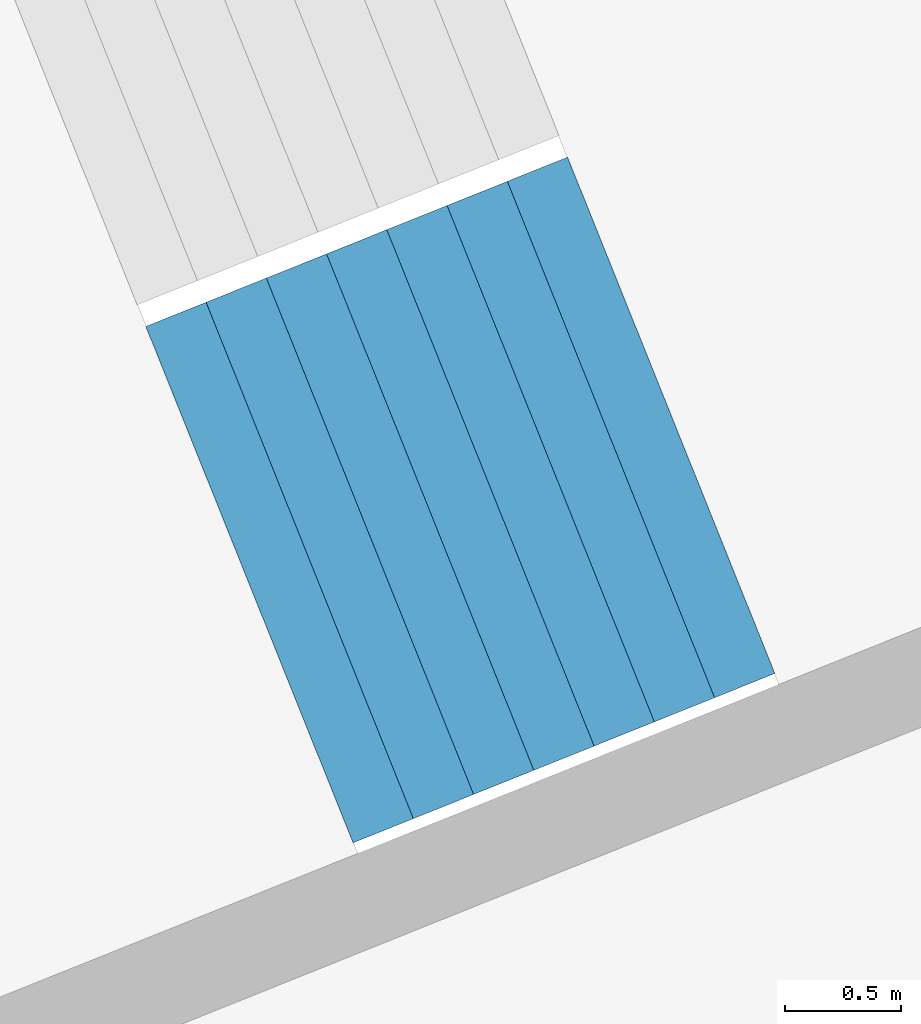
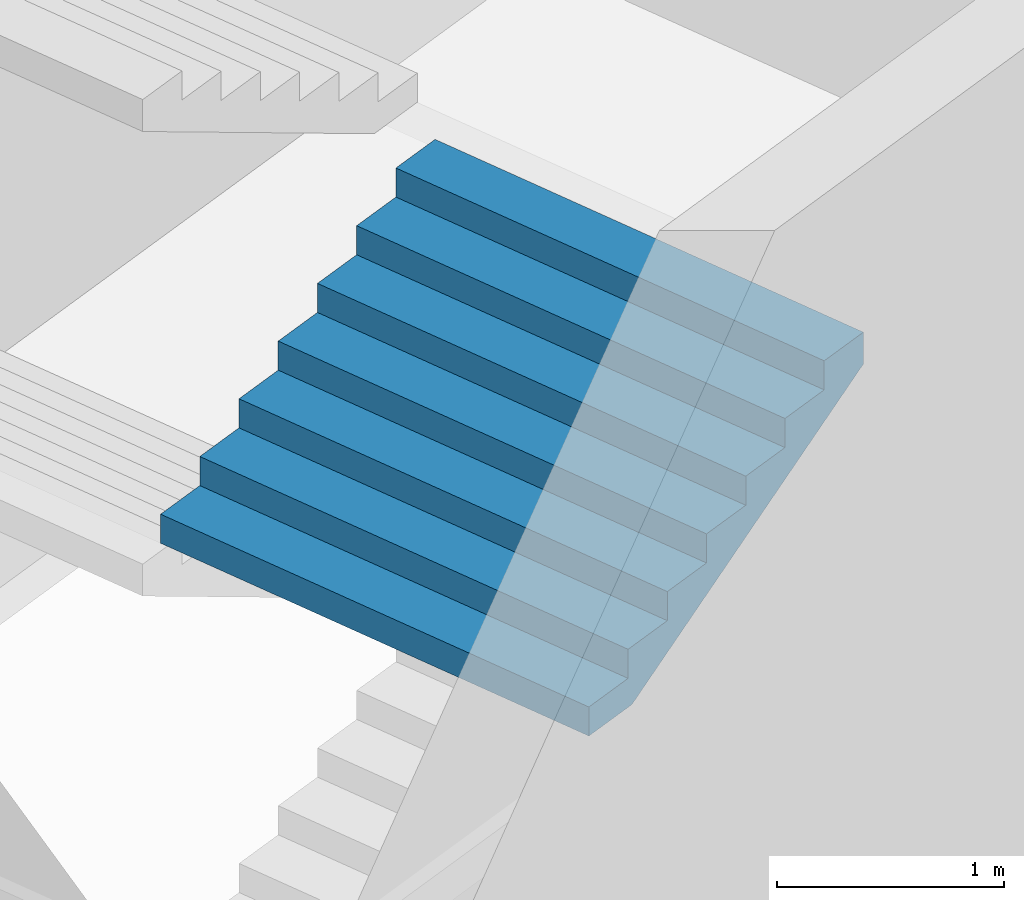
# One storey, part 66 of 73: 1 stair flight, 1 element without a shape of its own.
"""IFC4 building model written with IfcOpenShell, lengths in metres."""

from ifc_helpers import new_model, si_unit, direction, frame, origin, place, context, subcontext, project, spatial, triangles, material, type_object, element, aggregate, save


model = new_model("IFC4")

# Units and contexts
model_context = context("Model", 3, precision=1e-05, world=origin(), true_north=direction((0.0, 1.0)))
body_context = subcontext(model_context, "Body", "Model", "MODEL_VIEW")
ifc_project = project(units=[si_unit("LENGTHUNIT", "METRE"), si_unit("AREAUNIT", "SQUARE_METRE"), si_unit("VOLUMEUNIT", "CUBIC_METRE"), si_unit("PLANEANGLEUNIT", "RADIAN"), si_unit("MASSUNIT", "GRAM", prefix="KILO")], contexts=[model_context])

# Site, building, storey
site_placement = place(None, origin())
site = spatial("IfcSite", under=ifc_project, at=site_placement, CompositionType="ELEMENT")
building_placement = place(site_placement, origin())
building = spatial("IfcBuilding", under=site, at=building_placement, Name="Lantaw Convention Tower", CompositionType="ELEMENT")
storey_placement = place(building_placement, frame((0.0, 0.0, 22.0)))
storey = spatial("IfcBuildingStorey", under=building, at=storey_placement, Name="L03", CompositionType="ELEMENT", Elevation=22.0)

# Stair, stair flight
ifc_material = material(Name="Concrete C35/45", Category="concrete")
stair_type = type_object("IfcStairType", Name="Exit stair 2400 riser 156.25 in 4 flights", PredefinedType="HALF_TURN_STAIR", material=ifc_material)
stair_placement = place(storey_placement, origin())
stair = element("IfcStair", 1, at=stair_placement, inside=storey, type_object=stair_type, Name="Podium exit stair P2 L03", PredefinedType="HALF_TURN_STAIR")
stair_flight_type = type_object("IfcStairFlightType", Name="Stair flight 2400 riser 156.25", PredefinedType="STRAIGHT", material=ifc_material)
stair_flight_placement = place(storey_placement, frame((36.730712890625, 13.398193359375, 2.5), z_axis=(0.0, 0.0, 1.0), x_axis=(0.928015168305, 0.372542410198, 0.0)))
stair_flight = element("IfcStairFlight", 2, at=stair_flight_placement, type_object=stair_flight_type, Name="P2 flight 3", NumberOfRisers=8, NumberOfTreads=7, PredefinedType="STRAIGHT", RiserHeight=0.15625, TreadLength=0.28, context=body_context, shape_type="Tessellation", body=[
    triangles([(0.0, 1.199951171875, 0.0), (0.0, 1.199951171875, 0.15625), (0.28, 1.199951171875, 0.0), (0.28, 1.199951171875, 0.15625), (0.28, 1.199951171875, 0.3125), (0.3076200632058044, 1.199951171875, 0.0), (0.3076200632058044, 1.199951171875, 0.3125), (0.56, 1.199951171875, 0.14083701830033238), (0.56, 1.199951171875, 0.3125), (0.56, 1.199951171875, 0.46875), (0.8400000000000001, 1.199951171875, 0.29708701830033235), (0.8400000000000001, 1.199951171875, 0.46875), (0.8400000000000001, 1.199951171875, 0.625), (1.12, 1.199951171875, 0.45333701830033235), (1.12, 1.199951171875, 0.625), (1.12, 1.199951171875, 0.78125), (1.4000000000000001, 1.199951171875, 0.6095870183003324), (1.4000000000000001, 1.199951171875, 0.78125), (1.4000000000000001, 1.199951171875, 0.9375), (1.6800000000000002, 1.199951171875, 0.7658370183003324), (1.6800000000000002, 1.199951171875, 0.9375), (1.6800000000000002, 1.199951171875, 1.09375), (1.9600000000000002, 1.199951171875, 0.9220870183003324), (1.9600000000000002, 1.199951171875, 1.09375), (0.0, -1.199951171875, 0.0), (0.0, -1.199951171875, 0.15625), (0.28, -1.199951171875, 0.0), (0.28, -1.199951171875, 0.15625), (0.28, -1.199951171875, 0.3125), (0.3076200632058044, -1.199951171875, 0.0), (0.3076200632058044, -1.199951171875, 0.3125), (0.56, -1.199951171875, 0.14083701830033238), (0.56, -1.199951171875, 0.3125), (0.56, -1.199951171875, 0.46875), (0.8400000000000001, -1.199951171875, 0.29708701830033235), (0.8400000000000001, -1.199951171875, 0.46875), (0.8400000000000001, -1.199951171875, 0.625), (1.12, -1.199951171875, 0.45333701830033235), (1.12, -1.199951171875, 0.625), (1.12, -1.199951171875, 0.78125), (1.4000000000000001, -1.199951171875, 0.6095870183003324), (1.4000000000000001, -1.199951171875, 0.78125), (1.4000000000000001, -1.199951171875, 0.9375), (1.6800000000000002, -1.199951171875, 0.7658370183003324), (1.6800000000000002, -1.199951171875, 0.9375), (1.6800000000000002, -1.199951171875, 1.09375), (1.9600000000000002, -1.199951171875, 0.9220870183003324), (1.9600000000000002, -1.199951171875, 1.09375), (0.0, 0.239990234375, 0.15625), (0.0, 0.239990234375, 0.0), (0.0, 0.1919921875, 0.15625), (0.0, 0.1919921875, 0.0), (0.0, 0.143994140625, 0.15625), (0.0, 0.143994140625, 0.0), (0.0, 0.09599609375, 0.15625), (0.0, 0.09599609375, 0.0), (0.0, 0.047998046875, 0.15625), (0.0, 0.047998046875, 0.0), (0.0, 0.0, 0.15625), (0.0, 0.0, 0.0), (0.0, -0.047998046875, 0.15625), (0.0, -0.047998046875, 0.0), (0.0, -0.09599609375, 0.15625), (0.0, -0.09599609375, 0.0), (0.0, -0.143994140625, 0.15625), (0.0, -0.143994140625, 0.0), (0.0, -0.1919921875, 0.15625), (0.0, -0.1919921875, 0.0), (0.0, -0.239990234375, 0.15625), (0.0, -0.239990234375, 0.0), (0.28, 0.239990234375, 0.3125), (0.28, 0.239990234375, 0.15625), (0.28, 0.1919921875, 0.3125), (0.28, 0.1919921875, 0.15625), (0.28, 0.143994140625, 0.3125), (0.28, 0.143994140625, 0.15625), (0.28, 0.09599609375, 0.3125), (0.28, 0.09599609375, 0.15625), (0.28, 0.047998046875, 0.3125), (0.28, 0.047998046875, 0.15625), (0.28, 0.0, 0.3125), (0.28, 0.0, 0.15625), (0.28, -0.047998046875, 0.3125), (0.28, -0.047998046875, 0.15625), (0.28, -0.09599609375, 0.3125), (0.28, -0.09599609375, 0.15625), (0.28, -0.143994140625, 0.3125), (0.28, -0.143994140625, 0.15625), (0.28, -0.1919921875, 0.3125), (0.28, -0.1919921875, 0.15625), (0.28, -0.239990234375, 0.3125), (0.28, -0.239990234375, 0.15625), (0.56, 0.239990234375, 0.46875), (0.56, 0.239990234375, 0.3125), (0.56, 0.1919921875, 0.46875), (0.56, 0.1919921875, 0.3125), (0.56, 0.143994140625, 0.46875), (0.56, 0.143994140625, 0.3125), (0.56, 0.09599609375, 0.46875), (0.56, 0.09599609375, 0.3125), (0.56, 0.047998046875, 0.46875), (0.56, 0.047998046875, 0.3125), (0.56, 0.0, 0.46875), (0.56, 0.0, 0.3125), (0.56, -0.047998046875, 0.46875), (0.56, -0.047998046875, 0.3125), (0.56, -0.09599609375, 0.46875), (0.56, -0.09599609375, 0.3125), (0.56, -0.143994140625, 0.46875), (0.56, -0.143994140625, 0.3125), (0.56, -0.1919921875, 0.46875), (0.56, -0.1919921875, 0.3125), (0.56, -0.239990234375, 0.46875), (0.56, -0.239990234375, 0.3125), (0.8400000000000001, 0.239990234375, 0.625), (0.8400000000000001, 0.239990234375, 0.46875), (0.8400000000000001, 0.1919921875, 0.625), (0.8400000000000001, 0.1919921875, 0.46875), (0.8400000000000001, 0.143994140625, 0.625), (0.8400000000000001, 0.143994140625, 0.46875), (0.8400000000000001, 0.09599609375, 0.625), (0.8400000000000001, 0.09599609375, 0.46875), (0.8400000000000001, 0.047998046875, 0.625), (0.8400000000000001, 0.047998046875, 0.46875), (0.8400000000000001, 0.0, 0.625), (0.8400000000000001, 0.0, 0.46875), (0.8400000000000001, -0.047998046875, 0.625), (0.8400000000000001, -0.047998046875, 0.46875), (0.8400000000000001, -0.09599609375, 0.625), (0.8400000000000001, -0.09599609375, 0.46875), (0.8400000000000001, -0.143994140625, 0.625), (0.8400000000000001, -0.143994140625, 0.46875), (0.8400000000000001, -0.1919921875, 0.625), (0.8400000000000001, -0.1919921875, 0.46875), (0.8400000000000001, -0.239990234375, 0.625), (0.8400000000000001, -0.239990234375, 0.46875), (1.12, 0.239990234375, 0.78125), (1.12, 0.239990234375, 0.625), (1.12, 0.1919921875, 0.78125), (1.12, 0.1919921875, 0.625), (1.12, 0.143994140625, 0.78125), (1.12, 0.143994140625, 0.625), (1.12, 0.09599609375, 0.78125), (1.12, 0.09599609375, 0.625), (1.12, 0.047998046875, 0.78125), (1.12, 0.047998046875, 0.625), (1.12, 0.0, 0.78125), (1.12, 0.0, 0.625), (1.12, -0.047998046875, 0.78125), (1.12, -0.047998046875, 0.625), (1.12, -0.09599609375, 0.78125), (1.12, -0.09599609375, 0.625), (1.12, -0.143994140625, 0.78125), (1.12, -0.143994140625, 0.625), (1.12, -0.1919921875, 0.78125), (1.12, -0.1919921875, 0.625), (1.12, -0.239990234375, 0.78125), (1.12, -0.239990234375, 0.625), (1.4000000000000001, 0.239990234375, 0.9375), (1.4000000000000001, 0.239990234375, 0.78125), (1.4000000000000001, 0.1919921875, 0.9375), (1.4000000000000001, 0.1919921875, 0.78125), (1.4000000000000001, 0.143994140625, 0.9375), (1.4000000000000001, 0.143994140625, 0.78125), (1.4000000000000001, 0.09599609375, 0.9375), (1.4000000000000001, 0.09599609375, 0.78125), (1.4000000000000001, 0.047998046875, 0.9375), (1.4000000000000001, 0.047998046875, 0.78125), (1.4000000000000001, 0.0, 0.9375), (1.4000000000000001, 0.0, 0.78125), (1.4000000000000001, -0.047998046875, 0.9375), (1.4000000000000001, -0.047998046875, 0.78125), (1.4000000000000001, -0.09599609375, 0.9375), (1.4000000000000001, -0.09599609375, 0.78125), (1.4000000000000001, -0.143994140625, 0.9375), (1.4000000000000001, -0.143994140625, 0.78125), (1.4000000000000001, -0.1919921875, 0.9375), (1.4000000000000001, -0.1919921875, 0.78125), (1.4000000000000001, -0.239990234375, 0.9375), (1.4000000000000001, -0.239990234375, 0.78125), (1.6800000000000002, 0.239990234375, 1.09375), (1.6800000000000002, 0.239990234375, 0.9375), (1.6800000000000002, 0.1919921875, 1.09375), (1.6800000000000002, 0.1919921875, 0.9375), (1.6800000000000002, 0.143994140625, 1.09375), (1.6800000000000002, 0.143994140625, 0.9375), (1.6800000000000002, 0.09599609375, 1.09375), (1.6800000000000002, 0.09599609375, 0.9375), (1.6800000000000002, 0.047998046875, 1.09375), (1.6800000000000002, 0.047998046875, 0.9375), (1.6800000000000002, 0.0, 1.09375), (1.6800000000000002, 0.0, 0.9375), (1.6800000000000002, -0.047998046875, 1.09375), (1.6800000000000002, -0.047998046875, 0.9375), (1.6800000000000002, -0.09599609375, 1.09375), (1.6800000000000002, -0.09599609375, 0.9375), (1.6800000000000002, -0.143994140625, 1.09375), (1.6800000000000002, -0.143994140625, 0.9375), (1.6800000000000002, -0.1919921875, 1.09375), (1.6800000000000002, -0.1919921875, 0.9375), (1.6800000000000002, -0.239990234375, 1.09375), (1.6800000000000002, -0.239990234375, 0.9375), (0.3076200632058044, 0.239990234375, 0.3125), (0.3076200632058044, 0.1919921875, 0.3125), (0.3076200632058044, 0.143994140625, 0.3125), (0.3076200632058044, 0.09599609375, 0.3125), (0.3076200632058044, 0.047998046875, 0.3125), (0.3076200632058044, 0.0, 0.3125), (0.3076200632058044, -0.047998046875, 0.3125), (0.3076200632058044, -0.09599609375, 0.3125), (0.3076200632058044, -0.143994140625, 0.3125), (0.3076200632058044, -0.1919921875, 0.3125), (0.3076200632058044, -0.239990234375, 0.3125), (1.9600000000000002, 0.239990234375, 1.09375), (1.9600000000000002, 0.1919921875, 1.09375), (1.9600000000000002, 0.143994140625, 1.09375), (1.9600000000000002, 0.09599609375, 1.09375), (1.9600000000000002, 0.047998046875, 1.09375), (1.9600000000000002, 0.0, 1.09375), (1.9600000000000002, -0.047998046875, 1.09375), (1.9600000000000002, -0.09599609375, 1.09375), (1.9600000000000002, -0.143994140625, 1.09375), (1.9600000000000002, -0.1919921875, 1.09375), (1.9600000000000002, -0.239990234375, 1.09375), (1.9600000000000002, 0.239990234375, 0.9220870183003324), (1.9600000000000002, 0.1919921875, 0.9220870183003324), (1.9600000000000002, 0.143994140625, 0.9220870183003324), (1.9600000000000002, 0.09599609375, 0.9220870183003324), (1.9600000000000002, 0.047998046875, 0.9220870183003324), (1.9600000000000002, 0.0, 0.9220870183003324), (1.9600000000000002, -0.047998046875, 0.9220870183003324), (1.9600000000000002, -0.09599609375, 0.9220870183003324), (1.9600000000000002, -0.143994140625, 0.9220870183003324), (1.9600000000000002, -0.1919921875, 0.9220870183003324), (1.9600000000000002, -0.239990234375, 0.9220870183003324), (1.6800000000000002, 0.239990234375, 0.7658370183003324), (1.6800000000000002, 0.1919921875, 0.7658370183003324), (1.6800000000000002, 0.143994140625, 0.7658370183003324), (1.6800000000000002, 0.09599609375, 0.7658370183003324), (1.6800000000000002, 0.047998046875, 0.7658370183003324), (1.6800000000000002, 0.0, 0.7658370183003324), (1.6800000000000002, -0.047998046875, 0.7658370183003324), (1.6800000000000002, -0.09599609375, 0.7658370183003324), (1.6800000000000002, -0.143994140625, 0.7658370183003324), (1.6800000000000002, -0.1919921875, 0.7658370183003324), (1.6800000000000002, -0.239990234375, 0.7658370183003324), (1.4000000000000001, 0.239990234375, 0.6095870183003324), (1.4000000000000001, 0.1919921875, 0.6095870183003324), (1.4000000000000001, 0.143994140625, 0.6095870183003324), (1.4000000000000001, 0.09599609375, 0.6095870183003324), (1.4000000000000001, 0.047998046875, 0.6095870183003324), (1.4000000000000001, 0.0, 0.6095870183003324), (1.4000000000000001, -0.047998046875, 0.6095870183003324), (1.4000000000000001, -0.09599609375, 0.6095870183003324), (1.4000000000000001, -0.143994140625, 0.6095870183003324), (1.4000000000000001, -0.1919921875, 0.6095870183003324), (1.4000000000000001, -0.239990234375, 0.6095870183003324), (1.12, 0.239990234375, 0.45333701830033235), (1.12, 0.1919921875, 0.45333701830033235), (1.12, 0.143994140625, 0.45333701830033235), (1.12, 0.09599609375, 0.45333701830033235), (1.12, 0.047998046875, 0.45333701830033235), (1.12, 0.0, 0.45333701830033235), (1.12, -0.047998046875, 0.45333701830033235), (1.12, -0.09599609375, 0.45333701830033235), (1.12, -0.143994140625, 0.45333701830033235), (1.12, -0.1919921875, 0.45333701830033235), (1.12, -0.239990234375, 0.45333701830033235), (0.8400000000000001, 0.239990234375, 0.29708701830033235), (0.8400000000000001, 0.1919921875, 0.29708701830033235), (0.8400000000000001, 0.143994140625, 0.29708701830033235), (0.8400000000000001, 0.09599609375, 0.29708701830033235), (0.8400000000000001, 0.047998046875, 0.29708701830033235), (0.8400000000000001, 0.0, 0.29708701830033235), (0.8400000000000001, -0.047998046875, 0.29708701830033235), (0.8400000000000001, -0.09599609375, 0.29708701830033235), (0.8400000000000001, -0.143994140625, 0.29708701830033235), (0.8400000000000001, -0.1919921875, 0.29708701830033235), (0.8400000000000001, -0.239990234375, 0.29708701830033235), (0.56, 0.239990234375, 0.14083701830033238), (0.56, 0.1919921875, 0.14083701830033238), (0.56, 0.143994140625, 0.14083701830033238), (0.56, 0.09599609375, 0.14083701830033238), (0.56, 0.047998046875, 0.14083701830033238), (0.56, 0.0, 0.14083701830033238), (0.56, -0.047998046875, 0.14083701830033238), (0.56, -0.09599609375, 0.14083701830033238), (0.56, -0.143994140625, 0.14083701830033238), (0.56, -0.1919921875, 0.14083701830033238), (0.56, -0.239990234375, 0.14083701830033238), (0.3076200632058044, 0.239990234375, 0.0), (0.3076200632058044, 0.1919921875, 0.0), (0.3076200632058044, 0.143994140625, 0.0), (0.3076200632058044, 0.09599609375, 0.0), (0.3076200632058044, 0.047998046875, 0.0), (0.3076200632058044, 0.0, 0.0), (0.3076200632058044, -0.047998046875, 0.0), (0.3076200632058044, -0.09599609375, 0.0), (0.3076200632058044, -0.143994140625, 0.0), (0.3076200632058044, -0.1919921875, 0.0), (0.3076200632058044, -0.239990234375, 0.0), (0.28, 0.239990234375, 0.0), (0.28, 0.1919921875, 0.0), (0.28, 0.143994140625, 0.0), (0.28, 0.09599609375, 0.0), (0.28, 0.047998046875, 0.0), (0.28, 0.0, 0.0), (0.28, -0.047998046875, 0.0), (0.28, -0.09599609375, 0.0), (0.28, -0.143994140625, 0.0), (0.28, -0.1919921875, 0.0), (0.28, -0.239990234375, 0.0)], [[1, 4, 3], [1, 2, 4], [3, 4, 6], [4, 7, 6], [4, 5, 7], [6, 9, 8], [6, 7, 9], [8, 9, 11], [9, 12, 11], [9, 10, 12], [11, 12, 14], [12, 15, 14], [12, 13, 15], [14, 15, 17], [15, 18, 17], [15, 16, 18], [17, 18, 20], [18, 21, 20], [18, 19, 21], [20, 21, 23], [21, 24, 23], [21, 22, 24], [25, 27, 28], [25, 28, 26], [27, 30, 28], [28, 30, 31], [28, 31, 29], [30, 32, 33], [30, 33, 31], [32, 35, 33], [33, 35, 36], [33, 36, 34], [35, 38, 36], [36, 38, 39], [36, 39, 37], [38, 41, 39], [39, 41, 42], [39, 42, 40], [41, 44, 42], [42, 44, 45], [42, 45, 43], [44, 47, 45], [45, 47, 48], [45, 48, 46], [1, 49, 2], [1, 50, 49], [50, 51, 49], [50, 52, 51], [52, 53, 51], [52, 54, 53], [54, 55, 53], [54, 56, 55], [56, 57, 55], [56, 58, 57], [58, 59, 57], [58, 60, 59], [60, 61, 59], [60, 62, 61], [62, 63, 61], [62, 64, 63], [64, 65, 63], [64, 66, 65], [66, 67, 65], [66, 68, 67], [68, 69, 67], [68, 70, 69], [70, 26, 69], [70, 25, 26], [4, 71, 5], [4, 72, 71], [72, 73, 71], [72, 74, 73], [74, 75, 73], [74, 76, 75], [76, 77, 75], [76, 78, 77], [78, 79, 77], [78, 80, 79], [80, 81, 79], [80, 82, 81], [82, 83, 81], [82, 84, 83], [84, 85, 83], [84, 86, 85], [86, 87, 85], [86, 88, 87], [88, 89, 87], [88, 90, 89], [90, 91, 89], [90, 92, 91], [92, 29, 91], [92, 28, 29], [9, 93, 10], [9, 94, 93], [94, 95, 93], [94, 96, 95], [96, 97, 95], [96, 98, 97], [98, 99, 97], [98, 100, 99], [100, 101, 99], [100, 102, 101], [102, 103, 101], [102, 104, 103], [104, 105, 103], [104, 106, 105], [106, 107, 105], [106, 108, 107], [108, 109, 107], [108, 110, 109], [110, 111, 109], [110, 112, 111], [112, 113, 111], [112, 114, 113], [114, 34, 113], [114, 33, 34], [12, 115, 13], [12, 116, 115], [116, 117, 115], [116, 118, 117], [118, 119, 117], [118, 120, 119], [120, 121, 119], [120, 122, 121], [122, 123, 121], [122, 124, 123], [124, 125, 123], [124, 126, 125], [126, 127, 125], [126, 128, 127], [128, 129, 127], [128, 130, 129], [130, 131, 129], [130, 132, 131], [132, 133, 131], [132, 134, 133], [134, 135, 133], [134, 136, 135], [136, 37, 135], [136, 36, 37], [15, 137, 16], [15, 138, 137], [138, 139, 137], [138, 140, 139], [140, 141, 139], [140, 142, 141], [142, 143, 141], [142, 144, 143], [144, 145, 143], [144, 146, 145], [146, 147, 145], [146, 148, 147], [148, 149, 147], [148, 150, 149], [150, 151, 149], [150, 152, 151], [152, 153, 151], [152, 154, 153], [154, 155, 153], [154, 156, 155], [156, 157, 155], [156, 158, 157], [158, 40, 157], [158, 39, 40], [18, 159, 19], [18, 160, 159], [160, 161, 159], [160, 162, 161], [162, 163, 161], [162, 164, 163], [164, 165, 163], [164, 166, 165], [166, 167, 165], [166, 168, 167], [168, 169, 167], [168, 170, 169], [170, 171, 169], [170, 172, 171], [172, 173, 171], [172, 174, 173], [174, 175, 173], [174, 176, 175], [176, 177, 175], [176, 178, 177], [178, 179, 177], [178, 180, 179], [180, 43, 179], [180, 42, 43], [21, 181, 22], [21, 182, 181], [182, 183, 181], [182, 184, 183], [184, 185, 183], [184, 186, 185], [186, 187, 185], [186, 188, 187], [188, 189, 187], [188, 190, 189], [190, 191, 189], [190, 192, 191], [192, 193, 191], [192, 194, 193], [194, 195, 193], [194, 196, 195], [196, 197, 195], [196, 198, 197], [198, 199, 197], [198, 200, 199], [200, 201, 199], [200, 202, 201], [202, 46, 201], [202, 45, 46], [2, 72, 4], [2, 49, 72], [49, 74, 72], [49, 51, 74], [51, 76, 74], [51, 53, 76], [53, 78, 76], [53, 55, 78], [55, 80, 78], [55, 57, 80], [57, 82, 80], [57, 59, 82], [59, 84, 82], [59, 61, 84], [61, 86, 84], [61, 63, 86], [63, 88, 86], [63, 65, 88], [65, 90, 88], [65, 67, 90], [67, 92, 90], [67, 69, 92], [69, 28, 92], [69, 26, 28], [5, 203, 7], [5, 71, 203], [71, 204, 203], [71, 73, 204], [73, 205, 204], [73, 75, 205], [75, 206, 205], [75, 77, 206], [77, 207, 206], [77, 79, 207], [79, 208, 207], [79, 81, 208], [81, 209, 208], [81, 83, 209], [83, 210, 209], [83, 85, 210], [85, 211, 210], [85, 87, 211], [87, 212, 211], [87, 89, 212], [89, 213, 212], [89, 91, 213], [91, 31, 213], [91, 29, 31], [7, 94, 9], [7, 203, 94], [203, 96, 94], [203, 204, 96], [204, 98, 96], [204, 205, 98], [205, 100, 98], [205, 206, 100], [206, 102, 100], [206, 207, 102], [207, 104, 102], [207, 208, 104], [208, 106, 104], [208, 209, 106], [209, 108, 106], [209, 210, 108], [210, 110, 108], [210, 211, 110], [211, 112, 110], [211, 212, 112], [212, 114, 112], [212, 213, 114], [213, 33, 114], [213, 31, 33], [10, 116, 12], [10, 93, 116], [93, 118, 116], [93, 95, 118], [95, 120, 118], [95, 97, 120], [97, 122, 120], [97, 99, 122], [99, 124, 122], [99, 101, 124], [101, 126, 124], [101, 103, 126], [103, 128, 126], [103, 105, 128], [105, 130, 128], [105, 107, 130], [107, 132, 130], [107, 109, 132], [109, 134, 132], [109, 111, 134], [111, 136, 134], [111, 113, 136], [113, 36, 136], [113, 34, 36], [13, 138, 15], [13, 115, 138], [115, 140, 138], [115, 117, 140], [117, 142, 140], [117, 119, 142], [119, 144, 142], [119, 121, 144], [121, 146, 144], [121, 123, 146], [123, 148, 146], [123, 125, 148], [125, 150, 148], [125, 127, 150], [127, 152, 150], [127, 129, 152], [129, 154, 152], [129, 131, 154], [131, 156, 154], [131, 133, 156], [133, 158, 156], [133, 135, 158], [135, 39, 158], [135, 37, 39], [16, 160, 18], [16, 137, 160], [137, 162, 160], [137, 139, 162], [139, 164, 162], [139, 141, 164], [141, 166, 164], [141, 143, 166], [143, 168, 166], [143, 145, 168], [145, 170, 168], [145, 147, 170], [147, 172, 170], [147, 149, 172], [149, 174, 172], [149, 151, 174], [151, 176, 174], [151, 153, 176], [153, 178, 176], [153, 155, 178], [155, 180, 178], [155, 157, 180], [157, 42, 180], [157, 40, 42], [19, 182, 21], [19, 159, 182], [159, 184, 182], [159, 161, 184], [161, 186, 184], [161, 163, 186], [163, 188, 186], [163, 165, 188], [165, 190, 188], [165, 167, 190], [167, 192, 190], [167, 169, 192], [169, 194, 192], [169, 171, 194], [171, 196, 194], [171, 173, 196], [173, 198, 196], [173, 175, 198], [175, 200, 198], [175, 177, 200], [177, 202, 200], [177, 179, 202], [179, 45, 202], [179, 43, 45], [22, 214, 24], [22, 181, 214], [181, 215, 214], [181, 183, 215], [183, 216, 215], [183, 185, 216], [185, 217, 216], [185, 187, 217], [187, 218, 217], [187, 189, 218], [189, 219, 218], [189, 191, 219], [191, 220, 219], [191, 193, 220], [193, 221, 220], [193, 195, 221], [195, 222, 221], [195, 197, 222], [197, 223, 222], [197, 199, 223], [199, 224, 223], [199, 201, 224], [201, 48, 224], [201, 46, 48], [24, 225, 23], [24, 214, 225], [214, 226, 225], [214, 215, 226], [215, 227, 226], [215, 216, 227], [216, 228, 227], [216, 217, 228], [217, 229, 228], [217, 218, 229], [218, 230, 229], [218, 219, 230], [219, 231, 230], [219, 220, 231], [220, 232, 231], [220, 221, 232], [221, 233, 232], [221, 222, 233], [222, 234, 233], [222, 223, 234], [223, 235, 234], [223, 224, 235], [224, 47, 235], [224, 48, 47], [23, 236, 20], [23, 225, 236], [225, 237, 236], [225, 226, 237], [226, 238, 237], [226, 227, 238], [227, 239, 238], [227, 228, 239], [228, 240, 239], [228, 229, 240], [229, 241, 240], [229, 230, 241], [230, 242, 241], [230, 231, 242], [231, 243, 242], [231, 232, 243], [232, 244, 243], [232, 233, 244], [233, 245, 244], [233, 234, 245], [234, 246, 245], [234, 235, 246], [235, 44, 246], [235, 47, 44], [20, 247, 17], [20, 236, 247], [236, 248, 247], [236, 237, 248], [237, 249, 248], [237, 238, 249], [238, 250, 249], [238, 239, 250], [239, 251, 250], [239, 240, 251], [240, 252, 251], [240, 241, 252], [241, 253, 252], [241, 242, 253], [242, 254, 253], [242, 243, 254], [243, 255, 254], [243, 244, 255], [244, 256, 255], [244, 245, 256], [245, 257, 256], [245, 246, 257], [246, 41, 257], [246, 44, 41], [17, 258, 14], [17, 247, 258], [247, 259, 258], [247, 248, 259], [248, 260, 259], [248, 249, 260], [249, 261, 260], [249, 250, 261], [250, 262, 261], [250, 251, 262], [251, 263, 262], [251, 252, 263], [252, 264, 263], [252, 253, 264], [253, 265, 264], [253, 254, 265], [254, 266, 265], [254, 255, 266], [255, 267, 266], [255, 256, 267], [256, 268, 267], [256, 257, 268], [257, 38, 268], [257, 41, 38], [14, 269, 11], [14, 258, 269], [258, 270, 269], [258, 259, 270], [259, 271, 270], [259, 260, 271], [260, 272, 271], [260, 261, 272], [261, 273, 272], [261, 262, 273], [262, 274, 273], [262, 263, 274], [263, 275, 274], [263, 264, 275], [264, 276, 275], [264, 265, 276], [265, 277, 276], [265, 266, 277], [266, 278, 277], [266, 267, 278], [267, 279, 278], [267, 268, 279], [268, 35, 279], [268, 38, 35], [11, 280, 8], [11, 269, 280], [269, 281, 280], [269, 270, 281], [270, 282, 281], [270, 271, 282], [271, 283, 282], [271, 272, 283], [272, 284, 283], [272, 273, 284], [273, 285, 284], [273, 274, 285], [274, 286, 285], [274, 275, 286], [275, 287, 286], [275, 276, 287], [276, 288, 287], [276, 277, 288], [277, 289, 288], [277, 278, 289], [278, 290, 289], [278, 279, 290], [279, 32, 290], [279, 35, 32], [8, 291, 6], [8, 280, 291], [280, 292, 291], [280, 281, 292], [281, 293, 292], [281, 282, 293], [282, 294, 293], [282, 283, 294], [283, 295, 294], [283, 284, 295], [284, 296, 295], [284, 285, 296], [285, 297, 296], [285, 286, 297], [286, 298, 297], [286, 287, 298], [287, 299, 298], [287, 288, 299], [288, 300, 299], [288, 289, 300], [289, 301, 300], [289, 290, 301], [290, 30, 301], [290, 32, 30], [6, 302, 3], [6, 291, 302], [291, 303, 302], [291, 292, 303], [292, 304, 303], [292, 293, 304], [293, 305, 304], [293, 294, 305], [294, 306, 305], [294, 295, 306], [295, 307, 306], [295, 296, 307], [296, 308, 307], [296, 297, 308], [297, 309, 308], [297, 298, 309], [298, 310, 309], [298, 299, 310], [299, 311, 310], [299, 300, 311], [300, 312, 311], [300, 301, 312], [301, 27, 312], [301, 30, 27], [3, 50, 1], [3, 302, 50], [302, 52, 50], [302, 303, 52], [303, 54, 52], [303, 304, 54], [304, 56, 54], [304, 305, 56], [305, 58, 56], [305, 306, 58], [306, 60, 58], [306, 307, 60], [307, 62, 60], [307, 308, 62], [308, 64, 62], [308, 309, 64], [309, 66, 64], [309, 310, 66], [310, 68, 66], [310, 311, 68], [311, 70, 68], [311, 312, 70], [312, 25, 70], [312, 27, 25]], closed=True),
])
aggregate(stair, [stair_flight])

save(model, "model.ifc")
